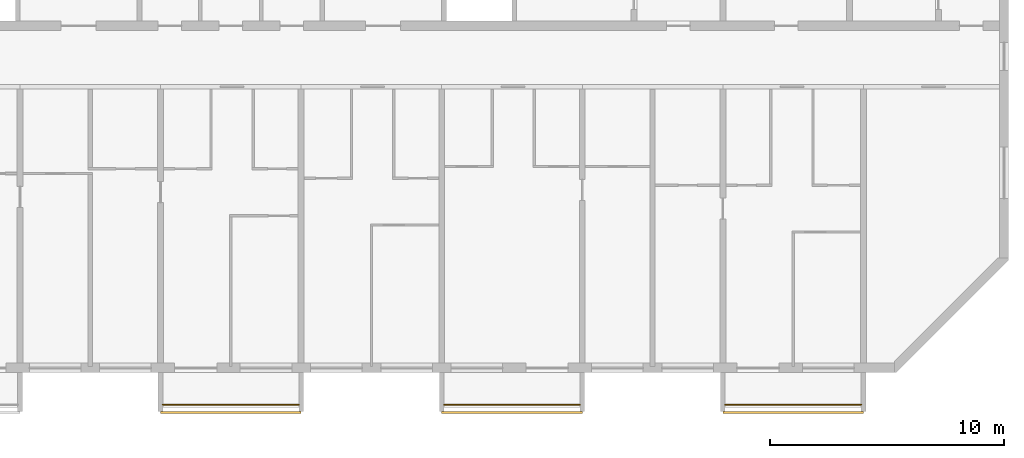
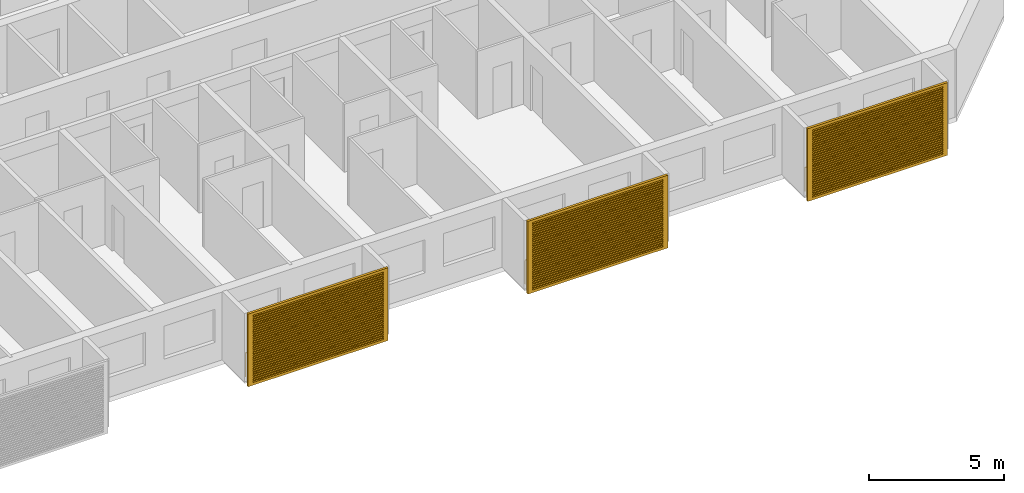
# One storey, part 14 of 27: 3 railings, 3 shading devices.
"""IFC4 building model written with IfcOpenShell, lengths in metres."""

from ifc_helpers import new_model, si_unit, direction, frame, origin, origin_2d, place, context, subcontext, project, spatial, polyline, circle, outline, extrude, source, transform, mapped, material, material_profile, profile_set, type_object, element, save


model = new_model("IFC4")

# Units and contexts
model_context = context("Model", 3, precision=1e-05, world=origin(), true_north=direction((0.0, 1.0)))
body_context = subcontext(model_context, "Body", "Model", "MODEL_VIEW")
ifc_project = project(units=[si_unit("LENGTHUNIT", "METRE"), si_unit("AREAUNIT", "SQUARE_METRE"), si_unit("VOLUMEUNIT", "CUBIC_METRE"), si_unit("PLANEANGLEUNIT", "RADIAN"), si_unit("MASSUNIT", "GRAM", prefix="KILO")], contexts=[model_context])

# Site, building, storey
site_placement = place(None, origin())
site = spatial("IfcSite", under=ifc_project, at=site_placement, CompositionType="ELEMENT")
building_placement = place(site_placement, origin())
building = spatial("IfcBuilding", under=site, at=building_placement, Name="Poui Terraces", CompositionType="ELEMENT")
storey_placement = place(building_placement, frame((0.0, 0.0, 191.699951171875)))
storey = spatial("IfcBuildingStorey", under=building, at=storey_placement, Name="L53", CompositionType="ELEMENT", Elevation=191.699951171875)

# Railings
ifc_material_1 = material(Name="Painted steel fretwork", Category="steel")
railing_type = type_object("IfcRailingType", Name="BALCONY GUARD 1100", PredefinedType="GUARDRAIL", material=ifc_material_1)
for number, where, name in (
    (1, (48.10009765625, -1.570068359375, 0.0), "BALCONY GUARD"),
    (2, (60.10009765625, -1.570068359375, 0.0), "BALCONY GUARD"),
    (3, (72.10009765625, -1.570068359375, 0.0), "BALCONY GUARD"),
):
    element("IfcRailing", number, at=place(storey_placement, frame(where)), inside=storey, type_object=railing_type, Name=name, PredefinedType="GUARDRAIL", context=body_context, shape_type="SweptSolid", body=[
        extrude(circle(Radius=0.02392578125, at=origin_2d()), frame((0.0, 0.0, 1.076171875), z_axis=(1.0, 0.0, 0.0), x_axis=(0.0, 1.0, 0.0)), (0.0, 0.0, 1.0), 5.7998046875),
        extrude(circle(Radius=0.02099609375, at=origin_2d()), origin(), (0.0, 0.0, 1.0), 1.052001953125),
        extrude(circle(Radius=0.02099609375, at=origin_2d()), frame((0.966552734375, 0.0, 0.0)), (0.0, 0.0, 1.0), 1.052001953125),
        extrude(circle(Radius=0.02099609375, at=origin_2d()), frame((1.933349609375, 0.0, 0.0)), (0.0, 0.0, 1.0), 1.052001953125),
        extrude(circle(Radius=0.02099609375, at=origin_2d()), frame((2.89990234375, 0.0, 0.0)), (0.0, 0.0, 1.0), 1.052001953125),
        extrude(circle(Radius=0.02099609375, at=origin_2d()), frame((3.866455078125, 0.0, 0.0)), (0.0, 0.0, 1.0), 1.052001953125),
        extrude(circle(Radius=0.02099609375, at=origin_2d()), frame((4.833251953125, 0.0, 0.0)), (0.0, 0.0, 1.0), 1.052001953125),
        extrude(circle(Radius=0.02099609375, at=origin_2d()), frame((5.7998046875, 0.0, 0.0)), (0.0, 0.0, 1.0), 1.052001953125),
    ])

# Shading devices
ifc_material_2 = material(Name="Aluminium louvre", Category="aluminium")
ifc_material_profile = material_profile(ifc_material_2, outline(polyline([(-3.0, -1.64990234375), (3.0, -1.64990234375), (3.0, 1.64990234375), (-3.0, 1.64990234375), (-3.0, -1.64990234375)]), holes=[polyline([(-2.800048828125, -1.530029296875), (2.800048828125, -1.530029296875), (2.800048828125, -1.469970703125), (-2.800048828125, -1.469970703125), (-2.800048828125, -1.530029296875)]), polyline([(-2.800048828125, -1.429931640625), (2.800048828125, -1.429931640625), (2.800048828125, -1.3701171875), (-2.800048828125, -1.3701171875), (-2.800048828125, -1.429931640625)]), polyline([(-2.800048828125, -1.330078125), (2.800048828125, -1.330078125), (2.800048828125, -1.27001953125), (-2.800048828125, -1.27001953125), (-2.800048828125, -1.330078125)]), polyline([(-2.800048828125, -1.22998046875), (2.800048828125, -1.22998046875), (2.800048828125, -1.169921875), (-2.800048828125, -1.169921875), (-2.800048828125, -1.22998046875)]), polyline([(-2.800048828125, -1.1298828125), (2.800048828125, -1.1298828125), (2.800048828125, -1.070068359375), (-2.800048828125, -1.070068359375), (-2.800048828125, -1.1298828125)]), polyline([(-2.800048828125, -1.030029296875), (2.800048828125, -1.030029296875), (2.800048828125, -0.969970703125), (-2.800048828125, -0.969970703125), (-2.800048828125, -1.030029296875)]), polyline([(-2.800048828125, -0.929931640625), (2.800048828125, -0.929931640625), (2.800048828125, -0.8701171875), (-2.800048828125, -0.8701171875), (-2.800048828125, -0.929931640625)]), polyline([(-2.800048828125, -0.830078125), (2.800048828125, -0.830078125), (2.800048828125, -0.77001953125), (-2.800048828125, -0.77001953125), (-2.800048828125, -0.830078125)]), polyline([(-2.800048828125, -0.72998046875), (2.800048828125, -0.72998046875), (2.800048828125, -0.669921875), (-2.800048828125, -0.669921875), (-2.800048828125, -0.72998046875)]), polyline([(-2.800048828125, -0.6298828125), (2.800048828125, -0.6298828125), (2.800048828125, -0.570068359375), (-2.800048828125, -0.570068359375), (-2.800048828125, -0.6298828125)]), polyline([(-2.800048828125, -0.530029296875), (2.800048828125, -0.530029296875), (2.800048828125, -0.469970703125), (-2.800048828125, -0.469970703125), (-2.800048828125, -0.530029296875)]), polyline([(-2.800048828125, -0.429931640625), (2.800048828125, -0.429931640625), (2.800048828125, -0.3701171875), (-2.800048828125, -0.3701171875), (-2.800048828125, -0.429931640625)]), polyline([(-2.800048828125, -0.330078125), (2.800048828125, -0.330078125), (2.800048828125, -0.27001953125), (-2.800048828125, -0.27001953125), (-2.800048828125, -0.330078125)]), polyline([(-2.800048828125, -0.22998046875), (2.800048828125, -0.22998046875), (2.800048828125, -0.169921875), (-2.800048828125, -0.169921875), (-2.800048828125, -0.22998046875)]), polyline([(-2.800048828125, -0.1298828125), (2.800048828125, -0.1298828125), (2.800048828125, -0.070068359375), (-2.800048828125, -0.070068359375), (-2.800048828125, -0.1298828125)]), polyline([(-2.800048828125, -0.030029296875), (2.800048828125, -0.030029296875), (2.800048828125, 0.030029296875), (-2.800048828125, 0.030029296875), (-2.800048828125, -0.030029296875)]), polyline([(-2.800048828125, 0.070068359375), (2.800048828125, 0.070068359375), (2.800048828125, 0.1298828125), (-2.800048828125, 0.1298828125), (-2.800048828125, 0.070068359375)]), polyline([(-2.800048828125, 0.169921875), (2.800048828125, 0.169921875), (2.800048828125, 0.22998046875), (-2.800048828125, 0.22998046875), (-2.800048828125, 0.169921875)]), polyline([(-2.800048828125, 0.27001953125), (2.800048828125, 0.27001953125), (2.800048828125, 0.330078125), (-2.800048828125, 0.330078125), (-2.800048828125, 0.27001953125)]), polyline([(-2.800048828125, 0.3701171875), (2.800048828125, 0.3701171875), (2.800048828125, 0.429931640625), (-2.800048828125, 0.429931640625), (-2.800048828125, 0.3701171875)]), polyline([(-2.800048828125, 0.469970703125), (2.800048828125, 0.469970703125), (2.800048828125, 0.530029296875), (-2.800048828125, 0.530029296875), (-2.800048828125, 0.469970703125)]), polyline([(-2.800048828125, 0.570068359375), (2.800048828125, 0.570068359375), (2.800048828125, 0.6298828125), (-2.800048828125, 0.6298828125), (-2.800048828125, 0.570068359375)]), polyline([(-2.800048828125, 0.669921875), (2.800048828125, 0.669921875), (2.800048828125, 0.72998046875), (-2.800048828125, 0.72998046875), (-2.800048828125, 0.669921875)]), polyline([(-2.800048828125, 0.77001953125), (2.800048828125, 0.77001953125), (2.800048828125, 0.830078125), (-2.800048828125, 0.830078125), (-2.800048828125, 0.77001953125)]), polyline([(-2.800048828125, 0.8701171875), (2.800048828125, 0.8701171875), (2.800048828125, 0.929931640625), (-2.800048828125, 0.929931640625), (-2.800048828125, 0.8701171875)]), polyline([(-2.800048828125, 0.969970703125), (2.800048828125, 0.969970703125), (2.800048828125, 1.030029296875), (-2.800048828125, 1.030029296875), (-2.800048828125, 0.969970703125)]), polyline([(-2.800048828125, 1.070068359375), (2.800048828125, 1.070068359375), (2.800048828125, 1.1298828125), (-2.800048828125, 1.1298828125), (-2.800048828125, 1.070068359375)]), polyline([(-2.800048828125, 1.169921875), (2.800048828125, 1.169921875), (2.800048828125, 1.22998046875), (-2.800048828125, 1.22998046875), (-2.800048828125, 1.169921875)]), polyline([(-2.800048828125, 1.27001953125), (2.800048828125, 1.27001953125), (2.800048828125, 1.330078125), (-2.800048828125, 1.330078125), (-2.800048828125, 1.27001953125)]), polyline([(-2.800048828125, 1.3701171875), (2.800048828125, 1.3701171875), (2.800048828125, 1.429931640625), (-2.800048828125, 1.429931640625), (-2.800048828125, 1.3701171875)]), polyline([(-2.800048828125, 1.469970703125), (2.800048828125, 1.469970703125), (2.800048828125, 1.530029296875), (-2.800048828125, 1.530029296875), (-2.800048828125, 1.469970703125)])]), Name="JALOUSIE LOUVRE SHUTTER 6000X3300")
ifc_profile_set = profile_set([ifc_material_profile], Name="Aluminium louvre")
shading_device_type = type_object("IfcShadingDeviceType", Name="JALOUSIE LOUVRE SHUTTER 6000X3300", PredefinedType="JALOUSIE", material=ifc_profile_set)
shared_shape = source(origin(), body_context, "Body", "SweptSolid", [
    extrude(outline(polyline([(-3.0, -1.64990234375), (3.0, -1.64990234375), (3.0, 1.64990234375), (-3.0, 1.64990234375), (-3.0, -1.64990234375)]), holes=[polyline([(-2.800048828125, -1.530029296875), (2.800048828125, -1.530029296875), (2.800048828125, -1.469970703125), (-2.800048828125, -1.469970703125), (-2.800048828125, -1.530029296875)]), polyline([(-2.800048828125, -1.429931640625), (2.800048828125, -1.429931640625), (2.800048828125, -1.3701171875), (-2.800048828125, -1.3701171875), (-2.800048828125, -1.429931640625)]), polyline([(-2.800048828125, -1.330078125), (2.800048828125, -1.330078125), (2.800048828125, -1.27001953125), (-2.800048828125, -1.27001953125), (-2.800048828125, -1.330078125)]), polyline([(-2.800048828125, -1.22998046875), (2.800048828125, -1.22998046875), (2.800048828125, -1.169921875), (-2.800048828125, -1.169921875), (-2.800048828125, -1.22998046875)]), polyline([(-2.800048828125, -1.1298828125), (2.800048828125, -1.1298828125), (2.800048828125, -1.070068359375), (-2.800048828125, -1.070068359375), (-2.800048828125, -1.1298828125)]), polyline([(-2.800048828125, -1.030029296875), (2.800048828125, -1.030029296875), (2.800048828125, -0.969970703125), (-2.800048828125, -0.969970703125), (-2.800048828125, -1.030029296875)]), polyline([(-2.800048828125, -0.929931640625), (2.800048828125, -0.929931640625), (2.800048828125, -0.8701171875), (-2.800048828125, -0.8701171875), (-2.800048828125, -0.929931640625)]), polyline([(-2.800048828125, -0.830078125), (2.800048828125, -0.830078125), (2.800048828125, -0.77001953125), (-2.800048828125, -0.77001953125), (-2.800048828125, -0.830078125)]), polyline([(-2.800048828125, -0.72998046875), (2.800048828125, -0.72998046875), (2.800048828125, -0.669921875), (-2.800048828125, -0.669921875), (-2.800048828125, -0.72998046875)]), polyline([(-2.800048828125, -0.6298828125), (2.800048828125, -0.6298828125), (2.800048828125, -0.570068359375), (-2.800048828125, -0.570068359375), (-2.800048828125, -0.6298828125)]), polyline([(-2.800048828125, -0.530029296875), (2.800048828125, -0.530029296875), (2.800048828125, -0.469970703125), (-2.800048828125, -0.469970703125), (-2.800048828125, -0.530029296875)]), polyline([(-2.800048828125, -0.429931640625), (2.800048828125, -0.429931640625), (2.800048828125, -0.3701171875), (-2.800048828125, -0.3701171875), (-2.800048828125, -0.429931640625)]), polyline([(-2.800048828125, -0.330078125), (2.800048828125, -0.330078125), (2.800048828125, -0.27001953125), (-2.800048828125, -0.27001953125), (-2.800048828125, -0.330078125)]), polyline([(-2.800048828125, -0.22998046875), (2.800048828125, -0.22998046875), (2.800048828125, -0.169921875), (-2.800048828125, -0.169921875), (-2.800048828125, -0.22998046875)]), polyline([(-2.800048828125, -0.1298828125), (2.800048828125, -0.1298828125), (2.800048828125, -0.070068359375), (-2.800048828125, -0.070068359375), (-2.800048828125, -0.1298828125)]), polyline([(-2.800048828125, -0.030029296875), (2.800048828125, -0.030029296875), (2.800048828125, 0.030029296875), (-2.800048828125, 0.030029296875), (-2.800048828125, -0.030029296875)]), polyline([(-2.800048828125, 0.070068359375), (2.800048828125, 0.070068359375), (2.800048828125, 0.1298828125), (-2.800048828125, 0.1298828125), (-2.800048828125, 0.070068359375)]), polyline([(-2.800048828125, 0.169921875), (2.800048828125, 0.169921875), (2.800048828125, 0.22998046875), (-2.800048828125, 0.22998046875), (-2.800048828125, 0.169921875)]), polyline([(-2.800048828125, 0.27001953125), (2.800048828125, 0.27001953125), (2.800048828125, 0.330078125), (-2.800048828125, 0.330078125), (-2.800048828125, 0.27001953125)]), polyline([(-2.800048828125, 0.3701171875), (2.800048828125, 0.3701171875), (2.800048828125, 0.429931640625), (-2.800048828125, 0.429931640625), (-2.800048828125, 0.3701171875)]), polyline([(-2.800048828125, 0.469970703125), (2.800048828125, 0.469970703125), (2.800048828125, 0.530029296875), (-2.800048828125, 0.530029296875), (-2.800048828125, 0.469970703125)]), polyline([(-2.800048828125, 0.570068359375), (2.800048828125, 0.570068359375), (2.800048828125, 0.6298828125), (-2.800048828125, 0.6298828125), (-2.800048828125, 0.570068359375)]), polyline([(-2.800048828125, 0.669921875), (2.800048828125, 0.669921875), (2.800048828125, 0.72998046875), (-2.800048828125, 0.72998046875), (-2.800048828125, 0.669921875)]), polyline([(-2.800048828125, 0.77001953125), (2.800048828125, 0.77001953125), (2.800048828125, 0.830078125), (-2.800048828125, 0.830078125), (-2.800048828125, 0.77001953125)]), polyline([(-2.800048828125, 0.8701171875), (2.800048828125, 0.8701171875), (2.800048828125, 0.929931640625), (-2.800048828125, 0.929931640625), (-2.800048828125, 0.8701171875)]), polyline([(-2.800048828125, 0.969970703125), (2.800048828125, 0.969970703125), (2.800048828125, 1.030029296875), (-2.800048828125, 1.030029296875), (-2.800048828125, 0.969970703125)]), polyline([(-2.800048828125, 1.070068359375), (2.800048828125, 1.070068359375), (2.800048828125, 1.1298828125), (-2.800048828125, 1.1298828125), (-2.800048828125, 1.070068359375)]), polyline([(-2.800048828125, 1.169921875), (2.800048828125, 1.169921875), (2.800048828125, 1.22998046875), (-2.800048828125, 1.22998046875), (-2.800048828125, 1.169921875)]), polyline([(-2.800048828125, 1.27001953125), (2.800048828125, 1.27001953125), (2.800048828125, 1.330078125), (-2.800048828125, 1.330078125), (-2.800048828125, 1.27001953125)]), polyline([(-2.800048828125, 1.3701171875), (2.800048828125, 1.3701171875), (2.800048828125, 1.429931640625), (-2.800048828125, 1.429931640625), (-2.800048828125, 1.3701171875)]), polyline([(-2.800048828125, 1.469970703125), (2.800048828125, 1.469970703125), (2.800048828125, 1.530029296875), (-2.800048828125, 1.530029296875), (-2.800048828125, 1.469970703125)])]), origin(), (0.0, 0.0, 1.0), 0.099853515625),
])
for number, where, z_axis, x_axis, name in (
    (4, (51.0, -1.85009765625, 1.449951171875), (0.0, -1.0, 0.0), (1.0, 0.0, 0.0), "JALOUSIE LOUVRE SHUTTER"),
    (5, (63.0, -1.85009765625, 1.449951171875), (0.0, -1.0, 0.0), (1.0, 0.0, 0.0), "JALOUSIE LOUVRE SHUTTER"),
    (6, (75.0, -1.85009765625, 1.449951171875), (0.0, -1.0, 0.0), (1.0, 0.0, 0.0), "JALOUSIE LOUVRE SHUTTER"),
):
    element("IfcShadingDevice", number, at=place(storey_placement, frame(where, z_axis=z_axis, x_axis=x_axis)), inside=storey, type_object=shading_device_type, Name=name, PredefinedType="JALOUSIE", context=body_context, shape_type="MappedRepresentation", body=[
        mapped(shared_shape, transform((0.0, 0.0, 0.0))),
    ])

save(model, "model.ifc")
